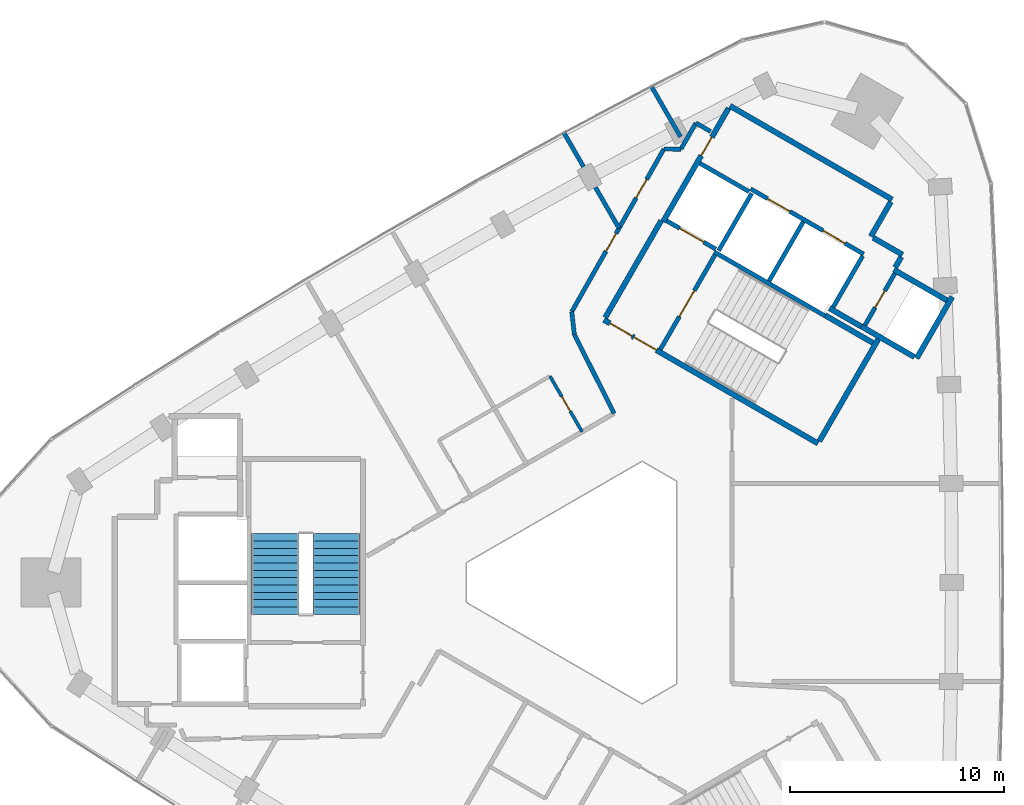
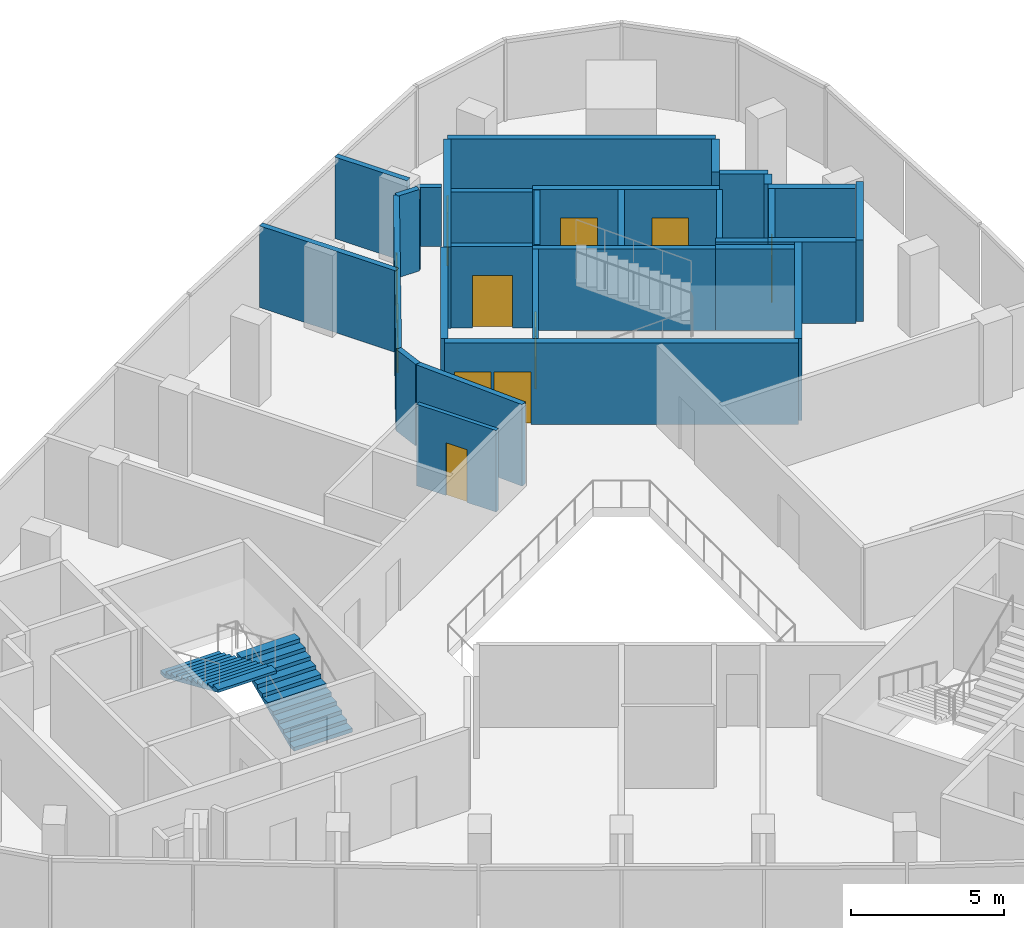
# One storey, part 9 of 11: 31 walls, 11 doors, 2 stair flights, 11 openings, 1 element without a shape of its own.
"""IFC4 building model written with IfcOpenShell, lengths in metres."""

from ifc_helpers import new_model, si_unit, direction, frame, frame_2d, origin, place, context, subcontext, project, spatial, polyline, rectangle, outline, extrude, material, layer, layer_set, type_object, element, fill, aggregate, save


model = new_model("IFC4")

# Units and contexts
model_context = context("Model", 3, precision=1e-05, world=origin(), true_north=direction((0.0, 1.0)))
body_context = subcontext(model_context, "Body", "Model", "MODEL_VIEW")
ifc_project = project(units=[si_unit("LENGTHUNIT", "METRE"), si_unit("AREAUNIT", "SQUARE_METRE"), si_unit("VOLUMEUNIT", "CUBIC_METRE"), si_unit("PLANEANGLEUNIT", "RADIAN"), si_unit("MASSUNIT", "GRAM", prefix="KILO")], contexts=[model_context])

# Site, building, storey
site_placement = place(None, origin())
site = spatial("IfcSite", under=ifc_project, at=site_placement, CompositionType="ELEMENT")
building_placement = place(site_placement, origin())
building = spatial("IfcBuilding", under=site, at=building_placement, Name="Tamra Quay Hotel Tower", CompositionType="ELEMENT")
storey_placement = place(building_placement, frame((0.0, 0.0, 246.60009765625)))
storey = spatial("IfcBuildingStorey", under=building, at=storey_placement, Name="L62", CompositionType="ELEMENT", Elevation=246.60009765625)

# Wall, openings, doors
ifc_material_1 = material(Name="Concrete M70", Category="concrete")
ifc_layer_1 = layer(ifc_material_1, 0.199951171875)
ifc_layer_set_1 = layer_set([ifc_layer_1], Name="Concrete M70 core wall 200")
wall_type_1 = type_object("IfcWallType", Name="Concrete M70 core wall 200", PredefinedType="SHEAR", material=ifc_layer_set_1)
wall_1_placement = place(storey_placement, frame((12.552490234375, 15.341552734375, 0.0), z_axis=(0.0, 0.0, 1.0), x_axis=(-0.866030299012, 0.499991521122, 0.0)))
wall_1 = element("IfcWall", 1, at=wall_1_placement, inside=storey, type_object=wall_type_1, Name="CW2", PredefinedType="SHEAR", context=body_context, shape_type="SweptSolid", body=[
    extrude(rectangle(XDim=6.10009765625, YDim=0.199951171875, at=frame_2d((3.050048828125, 0.0))), origin(), (0.0, 0.0, 1.0), 3.25),
])
opening_1_placement = place(wall_1_placement, frame((1.0, 0.0, 0.0)))
opening_1 = element("IfcOpeningElement", 2, at=opening_1_placement, cuts=wall_1, Name="Opening LD", PredefinedType="OPENING", context=body_context, shape_type="SweptSolid", body=[
    extrude(rectangle(XDim=1.199951171875, YDim=2.10009765625, at=frame_2d((0.60009765625, 1.050048828125))), frame((0.0, 0.10986328125, 0.0), z_axis=(0.0, -1.0, 0.0), x_axis=(1.0, 0.0, 0.0)), (0.0, 0.0, 1.0), 0.219970703125),
])
opening_2_placement = place(wall_1_placement, frame((3.982177734375, 0.0, 0.0)))
opening_2 = element("IfcOpeningElement", 3, at=opening_2_placement, cuts=wall_1, Name="Opening LD", PredefinedType="OPENING", context=body_context, shape_type="SweptSolid", body=[
    extrude(rectangle(XDim=1.199951171875, YDim=2.10009765625, at=frame_2d((0.60009765625, 1.050048828125))), frame((0.0, 0.10986328125, 0.0), z_axis=(0.0, -1.0, 0.0), x_axis=(1.0, 0.0, 0.0)), (0.0, 0.0, 1.0), 0.219970703125),
])
ifc_material_2 = material(Name="Landing door LD 1200 double door sliding")
door_type_1 = type_object("IfcDoorType", Name="Landing door LD 1200 double door sliding", OperationType="DOUBLE_DOOR_SLIDING", PredefinedType="DOOR", material=ifc_material_2)
door_1_placement = place(opening_1_placement, origin())
door_1 = element("IfcDoor", 4, at=door_1_placement, inside=storey, type_object=door_type_1, Name="LD", OperationType="DOUBLE_DOOR_SLIDING", OverallHeight=2.10009765625, OverallWidth=1.199951171875, PredefinedType="DOOR", context=body_context, shape_type="SweptSolid", body=[
    extrude(rectangle(XDim=1.199951171875, YDim=2.10009765625, at=frame_2d((0.60009765625, 1.050048828125))), frame((0.0, 0.02490234375, 0.0), z_axis=(0.0, -1.0, 0.0), x_axis=(1.0, 0.0, 0.0)), (0.0, 0.0, 1.0), 0.050048828125),
])
fill(opening_1, door_1)
door_2_placement = place(opening_2_placement, origin())
door_2 = element("IfcDoor", 5, at=door_2_placement, inside=storey, type_object=door_type_1, Name="LD", OperationType="DOUBLE_DOOR_SLIDING", OverallHeight=2.10009765625, OverallWidth=1.199951171875, PredefinedType="DOOR", context=body_context, shape_type="SweptSolid", body=[
    extrude(rectangle(XDim=1.199951171875, YDim=2.10009765625, at=frame_2d((0.60009765625, 1.050048828125))), frame((0.0, 0.02490234375, 0.0), z_axis=(0.0, -1.0, 0.0), x_axis=(1.0, 0.0, 0.0)), (0.0, 0.0, 1.0), 0.050048828125),
])
fill(opening_2, door_2)

# Wall
wall_2_placement = place(storey_placement, frame((10.7431640625, 12.4599609375, 0.0), z_axis=(0.0, 0.0, 1.0), x_axis=(-0.866018848283, 0.500011354289, 0.0)))
element("IfcWall", 6, at=wall_2_placement, inside=storey, type_object=wall_type_1, Name="CW2", PredefinedType="SHEAR", context=body_context, shape_type="SweptSolid", body=[
    extrude(rectangle(XDim=5.973876953125, YDim=0.199951171875, at=frame_2d((2.98681640625, 0.0))), origin(), (0.0, 0.0, 1.0), 3.25),
])

# Wall, opening, door
wall_3_placement = place(storey_placement, frame((3.056640625, 10.89453125, 0.0), z_axis=(0.0, 0.0, 1.0), x_axis=(0.500027839223, 0.866009330205, 0.0)))
wall_3 = element("IfcWall", 7, at=wall_3_placement, inside=storey, type_object=wall_type_1, Name="CW2", PredefinedType="SHEAR", context=body_context, shape_type="SweptSolid", body=[
    extrude(rectangle(XDim=5.097900390625, YDim=0.199951171875, at=frame_2d((2.548828125, 0.0))), origin(), (0.0, 0.0, 1.0), 3.25),
])
opening_3_placement = place(wall_3_placement, frame((1.77392578125, 0.0, 0.0)))
opening_3 = element("IfcOpeningElement", 8, at=opening_3_placement, cuts=wall_3, Name="Opening FD2", PredefinedType="OPENING", context=body_context, shape_type="SweptSolid", body=[
    extrude(rectangle(XDim=1.39990234375, YDim=2.10009765625, at=frame_2d((0.699951171875, 1.050048828125))), frame((0.0, 0.10986328125, 0.0), z_axis=(0.0, -1.0, 0.0), x_axis=(1.0, 0.0, 0.0)), (0.0, 0.0, 1.0), 0.219970703125),
])
ifc_material_3 = material(Name="Core door FD2 1400x2100 LH")
door_type_2 = type_object("IfcDoorType", Name="Core door FD2 1400x2100 LH", OperationType="NOTDEFINED", PredefinedType="DOOR", material=ifc_material_3)
door_3_placement = place(opening_3_placement, origin())
door_3 = element("IfcDoor", 9, at=door_3_placement, inside=storey, type_object=door_type_2, Name="FD2", OperationType="SINGLE_SWING_LEFT", OverallHeight=2.10009765625, OverallWidth=1.39990234375, PredefinedType="DOOR", context=body_context, shape_type="SweptSolid", body=[
    extrude(rectangle(XDim=1.39990234375, YDim=2.10009765625, at=frame_2d((0.699951171875, 1.050048828125))), frame((0.0, 0.02490234375, 0.0), z_axis=(0.0, -1.0, 0.0), x_axis=(1.0, 0.0, 0.0)), (0.0, 0.0, 1.0), 0.050048828125),
])
fill(opening_3, door_3)

# Wall
wall_4_placement = place(storey_placement, frame((8.131591796875, 14.08447265625, 0.0), z_axis=(0.0, 0.0, 1.0), x_axis=(0.500030834389, 0.86600760081, 0.0)))
element("IfcWall", 10, at=wall_4_placement, inside=storey, type_object=wall_type_1, Name="CW2", PredefinedType="SHEAR", context=body_context, shape_type="SweptSolid", body=[
    extrude(rectangle(XDim=3.197998046875, YDim=0.199951171875, at=frame_2d((1.59912109375, 0.0))), origin(), (0.0, 0.0, 1.0), 3.25),
])

# Wall, opening, door
wall_5_placement = place(storey_placement, frame((14.0078125, 14.442138671875, 0.0), z_axis=(0.0, 0.0, 1.0), x_axis=(-0.499986818241, -0.866033014143, 0.0)))
wall_5 = element("IfcWall", 11, at=wall_5_placement, inside=storey, type_object=wall_type_1, Name="CW2", PredefinedType="SHEAR", context=body_context, shape_type="SweptSolid", body=[
    extrude(rectangle(XDim=2.7978515625, YDim=0.199951171875, at=frame_2d((1.39892578125, 0.0))), origin(), (0.0, 0.0, 1.0), 3.25),
])
opening_4_placement = place(wall_5_placement, frame((0.948974609375, 0.0, 0.0)))
opening_4 = element("IfcOpeningElement", 12, at=opening_4_placement, cuts=wall_5, Name="Opening D1", PredefinedType="OPENING", context=body_context, shape_type="SweptSolid", body=[
    extrude(rectangle(XDim=0.89990234375, YDim=2.10009765625, at=frame_2d((0.449951171875, 1.050048828125))), frame((0.0, 0.10986328125, 0.0), z_axis=(0.0, -1.0, 0.0), x_axis=(1.0, 0.0, 0.0)), (0.0, 0.0, 1.0), 0.219970703125),
])
ifc_material_4 = material(Name="Core door D1 900x2100 RH")
door_type_3 = type_object("IfcDoorType", Name="Core door D1 900x2100 RH", OperationType="NOTDEFINED", PredefinedType="DOOR", material=ifc_material_4)
door_4_placement = place(opening_4_placement, origin())
door_4 = element("IfcDoor", 13, at=door_4_placement, inside=storey, type_object=door_type_3, Name="D1", OperationType="SINGLE_SWING_RIGHT", OverallHeight=2.10009765625, OverallWidth=0.89990234375, PredefinedType="DOOR", context=body_context, shape_type="SweptSolid", body=[
    extrude(rectangle(XDim=0.89990234375, YDim=2.10009765625, at=frame_2d((0.449951171875, 1.050048828125))), frame((0.0, 0.02490234375, 0.0), z_axis=(0.0, -1.0, 0.0), x_axis=(1.0, 0.0, 0.0)), (0.0, 0.0, 1.0), 0.050048828125),
])
fill(opening_4, door_4)

# Walls
wall_6_placement = place(storey_placement, frame((12.50244140625, 15.2548828125, 0.0), z_axis=(0.0, 0.0, 1.0), x_axis=(-0.499965018551, -0.866045599391, 0.0)))
element("IfcWall", 14, at=wall_6_placement, inside=storey, type_object=wall_type_1, Name="CW2", PredefinedType="SHEAR", context=body_context, shape_type="SweptSolid", body=[
    extrude(rectangle(XDim=2.759033203125, YDim=0.199951171875, at=frame_2d((1.37939453125, 0.0))), origin(), (0.0, 0.0, 1.0), 3.25),
])
wall_7_placement = place(storey_placement, frame((7.324462890625, 18.1865234375, 0.0), z_axis=(0.0, 0.0, 1.0), x_axis=(-0.499967891604, -0.866043940782, 0.0)))
element("IfcWall", 15, at=wall_7_placement, inside=storey, type_object=wall_type_1, Name="CW2", PredefinedType="SHEAR", context=body_context, shape_type="SweptSolid", body=[
    extrude(rectangle(XDim=3.099853515625, YDim=0.199951171875, at=frame_2d((1.5498046875, 0.0))), origin(), (0.0, 0.0, 1.0), 3.25),
])

# Wall, opening, door
wall_8_placement = place(storey_placement, frame((5.646240234375, 15.575927734375, 0.0), z_axis=(0.0, 0.0, 1.0), x_axis=(-0.866018407898, 0.500012117035, 0.0)))
wall_8 = element("IfcWall", 16, at=wall_8_placement, inside=storey, type_object=wall_type_1, Name="CW2", PredefinedType="SHEAR", context=body_context, shape_type="SweptSolid", body=[
    extrude(rectangle(XDim=2.65087890625, YDim=0.199951171875, at=frame_2d((1.325439453125, 0.0))), origin(), (0.0, 0.0, 1.0), 3.25),
])
opening_5_placement = place(wall_8_placement, frame((0.65185546875, 0.0, 0.0)))
opening_5 = element("IfcOpeningElement", 17, at=opening_5_placement, cuts=wall_8, Name="Opening LD", PredefinedType="OPENING", context=body_context, shape_type="SweptSolid", body=[
    extrude(rectangle(XDim=1.300048828125, YDim=2.10009765625, at=frame_2d((0.64990234375, 1.050048828125))), frame((0.0, 0.10986328125, 0.0), z_axis=(0.0, -1.0, 0.0), x_axis=(1.0, 0.0, 0.0)), (0.0, 0.0, 1.0), 0.219970703125),
])
ifc_material_5 = material(Name="Landing door LD 1300 sliding to left")
door_type_4 = type_object("IfcDoorType", Name="Landing door LD 1300 sliding to left", OperationType="NOTDEFINED", PredefinedType="DOOR", material=ifc_material_5)
door_5_placement = place(opening_5_placement, origin())
door_5 = element("IfcDoor", 18, at=door_5_placement, inside=storey, type_object=door_type_4, Name="LD", OperationType="SLIDING_TO_LEFT", OverallHeight=2.10009765625, OverallWidth=1.300048828125, PredefinedType="DOOR", context=body_context, shape_type="SweptSolid", body=[
    extrude(rectangle(XDim=1.300048828125, YDim=2.10009765625, at=frame_2d((0.64990234375, 1.050048828125))), frame((0.0, 0.02490234375, 0.0), z_axis=(0.0, -1.0, 0.0), x_axis=(1.0, 0.0, 0.0)), (0.0, 0.0, 1.0), 0.050048828125),
])
fill(opening_5, door_5)

# Wall
wall_9_placement = place(storey_placement, frame((7.1962890625, 18.260498046875, 0.0), z_axis=(0.0, 0.0, 1.0), x_axis=(-0.866018407898, 0.500012117035, 0.0)))
element("IfcWall", 19, at=wall_9_placement, inside=storey, type_object=wall_type_1, Name="CW2", PredefinedType="SHEAR", context=body_context, shape_type="SweptSolid", body=[
    extrude(rectangle(XDim=2.65087890625, YDim=0.199951171875, at=frame_2d((1.325439453125, 0.0))), origin(), (0.0, 0.0, 1.0), 3.25),
])

# Wall, openings, doors
ifc_layer_2 = layer(ifc_material_1, 0.25)
ifc_layer_set_2 = layer_set([ifc_layer_2], Name="Concrete M70 core wall 250")
wall_type_2 = type_object("IfcWallType", Name="Concrete M70 core wall 250", PredefinedType="SHEAR", material=ifc_layer_set_2)
wall_10_placement = place(storey_placement, frame((10.419921875, 6.497802734375, 0.0), z_axis=(0.0, 0.0, 1.0), x_axis=(-0.866021906294, 0.500006057782, 0.0)))
wall_10 = element("IfcWall", 20, at=wall_10_placement, inside=storey, type_object=wall_type_2, Name="CW1", PredefinedType="SHEAR", context=body_context, shape_type="SweptSolid", body=[
    extrude(rectangle(XDim=11.550048828125, YDim=0.25, at=frame_2d((5.77490234375, 0.0))), origin(), (0.0, 0.0, 1.0), 3.25),
])
opening_6_placement = place(wall_10_placement, frame((10.02490234375, 0.0, 0.0)))
opening_6 = element("IfcOpeningElement", 21, at=opening_6_placement, cuts=wall_10, Name="Opening FD1", PredefinedType="OPENING", context=body_context, shape_type="SweptSolid", body=[
    extrude(rectangle(XDim=1.199951171875, YDim=2.10009765625, at=frame_2d((0.60009765625, 1.050048828125))), frame((0.0, 0.135009765625, 0.0), z_axis=(0.0, -1.0, 0.0), x_axis=(1.0, 0.0, 0.0)), (0.0, 0.0, 1.0), 0.27001953125),
])
opening_7_placement = place(wall_10_placement, frame((8.724853515625, 0.0, 0.0)))
opening_7 = element("IfcOpeningElement", 22, at=opening_7_placement, cuts=wall_10, Name="Opening FD1", PredefinedType="OPENING", context=body_context, shape_type="SweptSolid", body=[
    extrude(rectangle(XDim=1.199951171875, YDim=2.10009765625, at=frame_2d((0.60009765625, 1.050048828125))), frame((0.0, 0.135009765625, 0.0), z_axis=(0.0, -1.0, 0.0), x_axis=(1.0, 0.0, 0.0)), (0.0, 0.0, 1.0), 0.27001953125),
])
ifc_material_6 = material(Name="Core door FD1 1200x2100 LH")
door_type_5 = type_object("IfcDoorType", Name="Core door FD1 1200x2100 LH", OperationType="NOTDEFINED", PredefinedType="DOOR", material=ifc_material_6)
door_6_placement = place(opening_6_placement, origin())
door_6 = element("IfcDoor", 23, at=door_6_placement, inside=storey, type_object=door_type_5, Name="FD1", OperationType="SINGLE_SWING_LEFT", OverallHeight=2.10009765625, OverallWidth=1.199951171875, PredefinedType="DOOR", context=body_context, shape_type="SweptSolid", body=[
    extrude(rectangle(XDim=1.199951171875, YDim=2.10009765625, at=frame_2d((0.60009765625, 1.050048828125))), frame((0.0, 0.02490234375, 0.0), z_axis=(0.0, -1.0, 0.0), x_axis=(1.0, 0.0, 0.0)), (0.0, 0.0, 1.0), 0.050048828125),
])
fill(opening_6, door_6)
ifc_material_7 = material(Name="Core door FD1 1200x2100 RH")
door_type_6 = type_object("IfcDoorType", Name="Core door FD1 1200x2100 RH", OperationType="NOTDEFINED", PredefinedType="DOOR", material=ifc_material_7)
door_7_placement = place(opening_7_placement, origin())
door_7 = element("IfcDoor", 24, at=door_7_placement, inside=storey, type_object=door_type_6, Name="FD1", OperationType="SINGLE_SWING_RIGHT", OverallHeight=2.10009765625, OverallWidth=1.199951171875, PredefinedType="DOOR", context=body_context, shape_type="SweptSolid", body=[
    extrude(rectangle(XDim=1.199951171875, YDim=2.10009765625, at=frame_2d((0.60009765625, 1.050048828125))), frame((0.0, 0.02490234375, 0.0), z_axis=(0.0, -1.0, 0.0), x_axis=(1.0, 0.0, 0.0)), (0.0, 0.0, 1.0), 0.050048828125),
])
fill(opening_7, door_7)

# Wall
wall_11_placement = place(storey_placement, frame((6.303955078125, 22.268798828125, 0.0), z_axis=(0.0, 0.0, 1.0), x_axis=(0.866022959057, -0.500004234368, 0.0)))
element("IfcWall", 25, at=wall_11_placement, inside=storey, type_object=wall_type_2, Name="CW1", PredefinedType="SHEAR", context=body_context, shape_type="SweptSolid", body=[
    extrude(rectangle(XDim=8.75, YDim=0.25, at=frame_2d((4.375, 0.0))), origin(), (0.0, 0.0, 1.0), 3.25),
])

# Wall, opening, door
wall_12_placement = place(storey_placement, frame((3.178955078125, 16.856201171875, 0.0), z_axis=(0.0, 0.0, 1.0), x_axis=(0.500001955336, 0.866024274868, 0.0)))
wall_12 = element("IfcWall", 26, at=wall_12_placement, inside=storey, type_object=wall_type_2, Name="CW1", PredefinedType="SHEAR", context=body_context, shape_type="SweptSolid", body=[
    extrude(rectangle(XDim=6.12451171875, YDim=0.25, at=frame_2d((3.062255859375, 0.0))), origin(), (0.0, 0.0, 1.0), 3.25),
])
opening_8_placement = place(wall_12_placement, frame((3.562744140625, 0.0, 0.0)))
opening_8 = element("IfcOpeningElement", 27, at=opening_8_placement, cuts=wall_12, Name="Opening FD3", PredefinedType="OPENING", context=body_context, shape_type="SweptSolid", body=[
    extrude(rectangle(XDim=1.0, YDim=2.10009765625, at=frame_2d((0.5, 1.050048828125))), frame((0.0, 0.135009765625, 0.0), z_axis=(0.0, -1.0, 0.0), x_axis=(1.0, 0.0, 0.0)), (0.0, 0.0, 1.0), 0.27001953125),
])
ifc_material_8 = material(Name="Core door FD3 1000x2100 LH")
door_type_7 = type_object("IfcDoorType", Name="Core door FD3 1000x2100 LH", OperationType="NOTDEFINED", PredefinedType="DOOR", material=ifc_material_8)
door_8_placement = place(opening_8_placement, origin())
door_8 = element("IfcDoor", 28, at=door_8_placement, inside=storey, type_object=door_type_7, Name="FD3", OperationType="SINGLE_SWING_LEFT", OverallHeight=2.10009765625, OverallWidth=1.0, PredefinedType="DOOR", context=body_context, shape_type="SweptSolid", body=[
    extrude(rectangle(XDim=1.0, YDim=2.10009765625, at=frame_2d((0.5, 1.050048828125))), frame((0.0, 0.02490234375, 0.0), z_axis=(0.0, -1.0, 0.0), x_axis=(1.0, 0.0, 0.0)), (0.0, 0.0, 1.0), 0.050048828125),
])
fill(opening_8, door_8)

# Walls
wall_13_placement = place(storey_placement, frame((0.47998046875, 12.38134765625, 0.0), z_axis=(0.0, 0.0, 1.0), x_axis=(0.49999885962, 0.866026062182, 0.0)))
element("IfcWall", 29, at=wall_13_placement, inside=storey, type_object=wall_type_2, Name="CW1", PredefinedType="SHEAR", context=body_context, shape_type="SweptSolid", body=[
    extrude(rectangle(XDim=5.224609375, YDim=0.25, at=frame_2d((2.6123046875, 0.0))), origin(), (0.0, 0.0, 1.0), 3.25),
])
wall_14_placement = place(storey_placement, frame((13.237548828125, 11.3779296875, 0.0), z_axis=(0.0, 0.0, 1.0), x_axis=(-0.500008851346, -0.866020293397, 0.0)))
element("IfcWall", 30, at=wall_14_placement, inside=storey, type_object=wall_type_2, Name="CW1", PredefinedType="SHEAR", context=body_context, shape_type="SweptSolid", body=[
    extrude(rectangle(XDim=5.509765625, YDim=0.25, at=frame_2d((2.7548828125, 0.0))), origin(), (0.0, 0.0, 1.0), 3.25),
])
wall_15_placement = place(storey_placement, frame((16.68359375, 13.3466796875, 0.0), z_axis=(0.0, 0.0, 1.0), x_axis=(-0.499998874531, -0.866026053573, 0.0)))
element("IfcWall", 31, at=wall_15_placement, inside=storey, type_object=wall_type_2, Name="CW1", PredefinedType="SHEAR", context=body_context, shape_type="SweptSolid", body=[
    extrude(rectangle(XDim=3.31298828125, YDim=0.25, at=frame_2d((1.656494140625, 0.0))), origin(), (0.0, 0.0, 1.0), 3.25),
])
wall_16_placement = place(storey_placement, frame((14.91845703125, 10.540283203125, 0.0), z_axis=(0.0, 0.0, 1.0), x_axis=(-0.866063538972, 0.499933942099, 0.0)))
element("IfcWall", 32, at=wall_16_placement, inside=storey, type_object=wall_type_2, Name="CW1", PredefinedType="SHEAR", context=body_context, shape_type="SweptSolid", body=[
    extrude(rectangle(XDim=2.86474609375, YDim=0.25, at=frame_2d((1.432373046875, 0.0))), origin(), (0.0, 0.0, 1.0), 3.25),
])
wall_17_placement = place(storey_placement, frame((13.962646484375, 14.61376953125, 0.0), z_axis=(0.0, 0.0, 1.0), x_axis=(0.866042235819, -0.499970844928, 0.0)))
element("IfcWall", 33, at=wall_17_placement, inside=storey, type_object=wall_type_2, Name="CW1", PredefinedType="SHEAR", context=body_context, shape_type="SweptSolid", body=[
    extrude(rectangle(XDim=2.864501953125, YDim=0.25, at=frame_2d((1.43212890625, 0.0))), origin(), (0.0, 0.0, 1.0), 3.25),
])
wall_18_placement = place(storey_placement, frame((10.756591796875, 12.481201171875, 0.0), z_axis=(0.0, 0.0, 1.0), x_axis=(0.866022940537, -0.500004266446, 0.0)))
element("IfcWall", 34, at=wall_18_placement, inside=storey, type_object=wall_type_2, Name="CW1", PredefinedType="SHEAR", context=body_context, shape_type="SweptSolid", body=[
    extrude(rectangle(XDim=2.57470703125, YDim=0.25, at=frame_2d((1.287353515625, 0.0))), origin(), (0.0, 0.0, 1.0), 3.25),
])
wall_19_placement = place(storey_placement, frame((13.819091796875, 17.78515625, 0.0), z_axis=(0.0, 0.0, 1.0), x_axis=(-0.500039802285, -0.866002422705, 0.0)))
element("IfcWall", 35, at=wall_19_placement, inside=storey, type_object=wall_type_2, Name="CW1", PredefinedType="SHEAR", context=body_context, shape_type="SweptSolid", body=[
    extrude(rectangle(XDim=1.864501953125, YDim=0.25, at=frame_2d((0.93212890625, 0.0))), origin(), (0.0, 0.0, 1.0), 3.25),
])
wall_20_placement = place(storey_placement, frame((12.4326171875, 11.9638671875, 0.0), z_axis=(0.0, 0.0, 1.0), x_axis=(-0.866038183914, 0.499977863513, 0.0)))
element("IfcWall", 36, at=wall_20_placement, inside=storey, type_object=wall_type_2, Name="CW1", PredefinedType="SHEAR", context=body_context, shape_type="SweptSolid", body=[
    extrude(rectangle(XDim=1.7099609375, YDim=0.25, at=frame_2d((0.85498046875, 0.0))), origin(), (0.0, 0.0, 1.0), 3.25),
])
wall_21_placement = place(storey_placement, frame((12.995361328125, 16.107666015625, 0.0), z_axis=(0.0, 0.0, 1.0), x_axis=(0.866044474677, -0.49996696679, 0.0)))
element("IfcWall", 37, at=wall_21_placement, inside=storey, type_object=wall_type_2, Name="CW1", PredefinedType="SHEAR", context=body_context, shape_type="SweptSolid", body=[
    extrude(rectangle(XDim=1.58447265625, YDim=0.25, at=frame_2d((0.792236328125, 0.0))), origin(), (0.0, 0.0, 1.0), 3.25),
])
wall_22_placement = place(storey_placement, frame((14.304931640625, 15.206787109375, 0.0), z_axis=(0.0, 0.0, 1.0), x_axis=(-0.499848422343, -0.866112899501, 0.0)))
element("IfcWall", 38, at=wall_22_placement, inside=storey, type_object=wall_type_2, Name="CW1", PredefinedType="SHEAR", context=body_context, shape_type="SweptSolid", body=[
    extrude(rectangle(XDim=0.559326171875, YDim=0.25, at=frame_2d((0.27978515625, 0.0))), origin(), (0.0, 0.0, 1.0), 3.25),
])

# Wall, openings, doors
ifc_material_9 = material(Name="Partition corridor wall")
ifc_layer_3 = layer(ifc_material_9, 0.199951171875)
ifc_layer_set_3 = layer_set([ifc_layer_3], Name="Partition corridor wall")
wall_type_3 = type_object("IfcWallType", Name="Partition corridor wall", PredefinedType="PARTITIONING", material=ifc_layer_set_3)
wall_23_placement = place(storey_placement, frame((-1.086181640625, 12.650634765625, 0.0), z_axis=(0.0, 0.0, 1.0), x_axis=(0.492590234691, 0.870261374925, 0.0)))
wall_23 = element("IfcWall", 39, at=wall_23_placement, inside=storey, type_object=wall_type_3, Name="W-C", PredefinedType="PARTITIONING", context=body_context, shape_type="SweptSolid", body=[
    extrude(rectangle(XDim=8.73779296875, YDim=0.199951171875, at=frame_2d((4.368896484375, 0.0))), origin(), (0.0, 0.0, 1.0), 3.25),
])
opening_9_placement = place(wall_23_placement, frame((6.105224609375, 0.0, 0.0)))
opening_9 = element("IfcOpeningElement", 40, at=opening_9_placement, cuts=wall_23, Name="Opening L62-D001", PredefinedType="OPENING", context=body_context, shape_type="SweptSolid", body=[
    extrude(rectangle(XDim=1.0, YDim=2.10009765625, at=frame_2d((0.5, 1.050048828125))), frame((0.0, 0.10986328125, 0.0), z_axis=(0.0, -1.0, 0.0), x_axis=(1.0, 0.0, 0.0)), (0.0, 0.0, 1.0), 0.219970703125),
])
opening_10_placement = place(wall_23_placement, frame((3.25, 0.0, 0.0)))
opening_10 = element("IfcOpeningElement", 41, at=opening_10_placement, cuts=wall_23, Name="Opening L62-D002", PredefinedType="OPENING", context=body_context, shape_type="SweptSolid", body=[
    extrude(rectangle(XDim=0.949951171875, YDim=2.10009765625, at=frame_2d((0.47509765625, 1.050048828125))), frame((0.0, 0.10986328125, 0.0), z_axis=(0.0, -1.0, 0.0), x_axis=(1.0, 0.0, 0.0)), (0.0, 0.0, 1.0), 0.219970703125),
])
ifc_material_10 = material(Name="Door guest room 1000x2100")
door_type_8 = type_object("IfcDoorType", Name="Door guest room 1000x2100", OperationType="NOTDEFINED", PredefinedType="DOOR", material=ifc_material_10)
door_9_placement = place(opening_9_placement, origin())
door_9 = element("IfcDoor", 42, at=door_9_placement, inside=storey, type_object=door_type_8, Name="L62-D001", OperationType="SINGLE_SWING_LEFT", OverallHeight=2.10009765625, OverallWidth=1.0, PredefinedType="DOOR", context=body_context, shape_type="SweptSolid", body=[
    extrude(rectangle(XDim=1.0, YDim=2.10009765625, at=frame_2d((0.5, 1.050048828125))), frame((0.0, 0.02490234375, 0.0), z_axis=(0.0, -1.0, 0.0), x_axis=(1.0, 0.0, 0.0)), (0.0, 0.0, 1.0), 0.050048828125),
])
fill(opening_9, door_9)
ifc_material_11 = material(Name="Door guest room 950x2100")
door_type_9 = type_object("IfcDoorType", Name="Door guest room 950x2100", OperationType="NOTDEFINED", PredefinedType="DOOR", material=ifc_material_11)
door_10_placement = place(opening_10_placement, origin())
door_10 = element("IfcDoor", 43, at=door_10_placement, inside=storey, type_object=door_type_9, Name="L62-D002", OperationType="SINGLE_SWING_LEFT", OverallHeight=2.10009765625, OverallWidth=0.949951171875, PredefinedType="DOOR", context=body_context, shape_type="SweptSolid", body=[
    extrude(rectangle(XDim=0.949951171875, YDim=2.10009765625, at=frame_2d((0.47509765625, 1.050048828125))), frame((0.0, 0.02490234375, 0.0), z_axis=(0.0, -1.0, 0.0), x_axis=(1.0, 0.0, 0.0)), (0.0, 0.0, 1.0), 0.050048828125),
])
fill(opening_10, door_10)

# Walls
wall_24_placement = place(storey_placement, frame((-1.0849609375, 12.64990234375, 0.0), z_axis=(0.0, 0.0, 1.0), x_axis=(0.113812454263, -0.993502252264, 0.0)))
element("IfcWall", 44, at=wall_24_placement, inside=storey, type_object=wall_type_3, Name="W-C", PredefinedType="PARTITIONING", context=body_context, shape_type="SweptSolid", body=[
    extrude(rectangle(XDim=1.061767578125, YDim=0.199951171875, at=frame_2d((0.53076171875, 0.0))), origin(), (0.0, 0.0, 1.0), 3.25),
])
wall_25_placement = place(storey_placement, frame((-0.964111328125, 11.594970703125, 0.0), z_axis=(0.0, 0.0, 1.0), x_axis=(0.448584236569, -0.893740556706, 0.0)))
element("IfcWall", 45, at=wall_25_placement, inside=storey, type_object=wall_type_3, Name="W-C", PredefinedType="PARTITIONING", context=body_context, shape_type="SweptSolid", body=[
    extrude(rectangle(XDim=4.130859375, YDim=0.199951171875, at=frame_2d((2.0654296875, 0.0))), origin(), (0.0, 0.0, 1.0), 3.25),
])
wall_26_placement = place(storey_placement, frame((3.218994140625, 20.256103515625, 0.0), z_axis=(0.0, 0.0, 1.0), x_axis=(0.99982280377, -0.018824480363, 0.0)))
element("IfcWall", 46, at=wall_26_placement, inside=storey, type_object=wall_type_3, Name="W-C", PredefinedType="PARTITIONING", context=body_context, shape_type="SweptSolid", body=[
    extrude(rectangle(XDim=0.80419921875, YDim=0.199951171875, at=frame_2d((0.402099609375, 0.0))), origin(), (0.0, 0.0, 1.0), 3.25),
])
wall_27_placement = place(storey_placement, frame((4.01611328125, 20.256103515625, 0.0), z_axis=(0.0, 0.0, 1.0), x_axis=(0.500135180047, 0.865947343479, 0.0)))
element("IfcWall", 47, at=wall_27_placement, inside=storey, type_object=wall_type_3, Name="W-C", PredefinedType="PARTITIONING", context=body_context, shape_type="SweptSolid", body=[
    extrude(rectangle(XDim=1.3994140625, YDim=0.199951171875, at=frame_2d((0.69970703125, 0.0))), origin(), (0.0, 0.0, 1.0), 2.349853515625),
])
wall_28_placement = place(storey_placement, frame((4.716064453125, 21.468017578125, 0.0), z_axis=(0.0, 0.0, 1.0), x_axis=(0.865912682783, -0.500195187698, 0.0)))
element("IfcWall", 48, at=wall_28_placement, inside=storey, type_object=wall_type_3, Name="W-C", PredefinedType="PARTITIONING", context=body_context, shape_type="SweptSolid", body=[
    extrude(rectangle(XDim=0.789794921875, YDim=0.199951171875, at=frame_2d((0.39501953125, 0.0))), origin(), (0.0, 0.0, 1.0), 2.349853515625),
])

# Wall, opening, door
ifc_material_12 = material(Name="Partition en-suite wall")
ifc_layer_4 = layer(ifc_material_12, 0.14990234375)
ifc_layer_set_4 = layer_set([ifc_layer_4], Name="Partition en-suite wall")
wall_type_4 = type_object("IfcWallType", Name="Partition en-suite wall", PredefinedType="PARTITIONING", material=ifc_layer_set_4)
wall_29_placement = place(storey_placement, frame((-2.10009765625, 9.637939453125, 0.0), z_axis=(0.0, 0.0, 1.0), x_axis=(0.499753046638, -0.866167935435, 0.0)))
wall_29 = element("IfcWall", 49, at=wall_29_placement, inside=storey, type_object=wall_type_4, Name="W-E", PredefinedType="PARTITIONING", context=body_context, shape_type="SweptSolid", body=[
    extrude(rectangle(XDim=2.99365234375, YDim=0.14990234375, at=frame_2d((1.496826171875, 0.0))), origin(), (0.0, 0.0, 1.0), 3.25),
])
opening_11_placement = place(wall_29_placement, frame((1.096435546875, 0.0, 0.0)))
opening_11 = element("IfcOpeningElement", 50, at=opening_11_placement, cuts=wall_29, Name="Opening L62-D003", PredefinedType="OPENING", context=body_context, shape_type="SweptSolid", body=[
    extrude(rectangle(XDim=0.800048828125, YDim=2.10009765625, at=frame_2d((0.39990234375, 1.050048828125))), frame((0.0, 0.0849609375, 0.0), z_axis=(0.0, -1.0, 0.0), x_axis=(1.0, 0.0, 0.0)), (0.0, 0.0, 1.0), 0.169921875),
])
ifc_material_13 = material(Name="Door en-suite 800x2100")
door_type_10 = type_object("IfcDoorType", Name="Door en-suite 800x2100", OperationType="NOTDEFINED", PredefinedType="DOOR", material=ifc_material_13)
door_11_placement = place(opening_11_placement, origin())
door_11 = element("IfcDoor", 51, at=door_11_placement, inside=storey, type_object=door_type_10, Name="L62-D003", OperationType="SINGLE_SWING_LEFT", OverallHeight=2.10009765625, OverallWidth=0.800048828125, PredefinedType="DOOR", context=body_context, shape_type="SweptSolid", body=[
    extrude(rectangle(XDim=0.800048828125, YDim=2.10009765625, at=frame_2d((0.39990234375, 1.050048828125))), frame((0.0, 0.02490234375, 0.0), z_axis=(0.0, -1.0, 0.0), x_axis=(1.0, 0.0, 0.0)), (0.0, 0.0, 1.0), 0.050048828125),
])
fill(opening_11, door_11)

# Walls
ifc_material_14 = material(Name="Partition party wall")
ifc_layer_5 = layer(ifc_material_14, 0.199951171875)
ifc_layer_set_5 = layer_set([ifc_layer_5], Name="Partition party wall")
wall_type_5 = type_object("IfcWallType", Name="Partition party wall", PredefinedType="PARTITIONING", material=ifc_layer_set_5)
wall_30_placement = place(storey_placement, frame((-1.44677734375, 21.00537109375, 0.0), z_axis=(0.0, 0.0, 1.0), x_axis=(0.49988826685, -0.866089903339, 0.0)))
element("IfcWall", 52, at=wall_30_placement, inside=storey, type_object=wall_type_5, Name="W-P", PredefinedType="PARTITIONING", context=body_context, shape_type="SweptSolid", body=[
    extrude(rectangle(XDim=5.140869140625, YDim=0.199951171875, at=frame_2d((2.5703125, 0.0))), origin(), (0.0, 0.0, 1.0), 3.25),
])
wall_31_placement = place(storey_placement, frame((2.640380859375, 23.170166015625, 0.0), z_axis=(0.0, 0.0, 1.0), x_axis=(0.49992507759, -0.866068655937, 0.0)))
element("IfcWall", 53, at=wall_31_placement, inside=storey, type_object=wall_type_5, Name="W-P", PredefinedType="PARTITIONING", context=body_context, shape_type="SweptSolid", body=[
    extrude(rectangle(XDim=2.7119140625, YDim=0.199951171875, at=frame_2d((1.35595703125, 0.0))), origin(), (0.0, 0.0, 1.0), 3.25),
])

# Stair, stair flights
ifc_material_15 = material(Name="Exit stair 2200 24 risers 150.0 going 342")
stair_type = type_object("IfcStairType", Name="Exit stair 2200 24 risers 150.0 going 342", PredefinedType="HALF_TURN_STAIR", material=ifc_material_15)
stair_placement = place(storey_placement, origin())
stair = element("IfcStair", 54, at=stair_placement, inside=storey, type_object=stair_type, Name="L62 Exit stair ST3", PredefinedType="HALF_TURN_STAIR")
ifc_material_16 = material(Name="Exit stair flight 2200 12 risers 150.0")
stair_flight_type = type_object("IfcStairFlightType", Name="Exit stair flight 2200 12 risers 150.0", PredefinedType="STRAIGHT", material=ifc_material_16)
stair_flight_1_placement = place(storey_placement, frame((-12.082275390625, -1.47998046875, 0.0), z_axis=(0.0, 0.0, 1.0), x_axis=(0.0, 1.0, 0.0)))
stair_flight_1 = element("IfcStairFlight", 55, at=stair_flight_1_placement, type_object=stair_flight_type, Name="ST3 flight 1", NumberOfRisers=12, NumberOfTreads=11, PredefinedType="STRAIGHT", RiserHeight=0.15, TreadLength=0.342, context=body_context, shape_type="SweptSolid", body=[
    extrude(outline(polyline([(0.0, 0.0), (0.0, 0.14990234375), (0.342041015625, 0.14990234375), (0.342041015625, 0.300048828125), (0.68408203125, 0.300048828125), (0.68408203125, 0.449951171875), (1.02587890625, 0.449951171875), (1.02587890625, 0.60009765625), (1.367919921875, 0.60009765625), (1.367919921875, 0.75), (1.7099609375, 0.75), (1.7099609375, 0.89990234375), (2.052001953125, 0.89990234375), (2.052001953125, 1.050048828125), (2.39404296875, 1.050048828125), (2.39404296875, 1.199951171875), (2.736083984375, 1.199951171875), (2.736083984375, 1.35009765625), (3.077880859375, 1.35009765625), (3.077880859375, 1.5), (3.419921875, 1.5), (3.419921875, 1.64990234375), (3.761962890625, 1.64990234375), (3.761962890625, 1.800048828125), (3.761962890625, 1.540771484375), (0.249267578125, 0.0), (0.0, 0.0)])), frame((0.0, 1.10009765625, 0.0), z_axis=(0.0, -1.0, 0.0), x_axis=(1.0, 0.0, 0.0)), (0.0, 0.0, 1.0), 2.199951171875),
])
stair_flight_2_placement = place(storey_placement, frame((-14.94140625, 2.281982421875, 1.7998046875), z_axis=(0.0, 0.0, 1.0), x_axis=(0.0, -1.0, 0.0)))
stair_flight_2 = element("IfcStairFlight", 56, at=stair_flight_2_placement, type_object=stair_flight_type, Name="ST3 flight 2", NumberOfRisers=12, NumberOfTreads=11, PredefinedType="STRAIGHT", RiserHeight=0.15, TreadLength=0.342, context=body_context, shape_type="SweptSolid", body=[
    extrude(outline(polyline([(0.0, 0.0), (0.0, 0.14990234375), (0.342041015625, 0.14990234375), (0.342041015625, 0.300048828125), (0.68408203125, 0.300048828125), (0.68408203125, 0.449951171875), (1.02587890625, 0.449951171875), (1.02587890625, 0.60009765625), (1.367919921875, 0.60009765625), (1.367919921875, 0.75), (1.7099609375, 0.75), (1.7099609375, 0.89990234375), (2.052001953125, 0.89990234375), (2.052001953125, 1.050048828125), (2.39404296875, 1.050048828125), (2.39404296875, 1.199951171875), (2.736083984375, 1.199951171875), (2.736083984375, 1.35009765625), (3.077880859375, 1.35009765625), (3.077880859375, 1.5), (3.419921875, 1.5), (3.419921875, 1.64990234375), (3.761962890625, 1.64990234375), (3.761962890625, 1.800048828125), (3.761962890625, 1.540771484375), (0.249267578125, 0.0), (0.0, 0.0)])), frame((0.0, 1.10009765625, 0.0), z_axis=(0.0, -1.0, 0.0), x_axis=(1.0, 0.0, 0.0)), (0.0, 0.0, 1.0), 2.199951171875),
])
aggregate(stair, [stair_flight_1, stair_flight_2])

save(model, "model.ifc")
